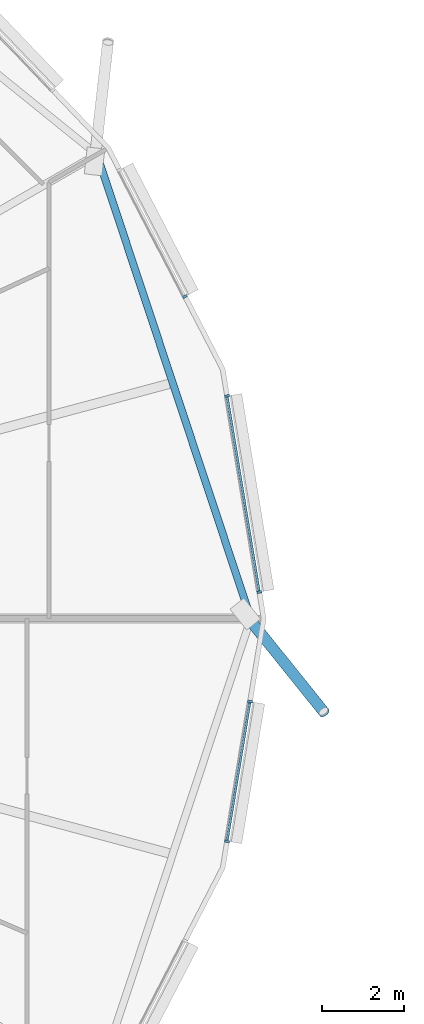
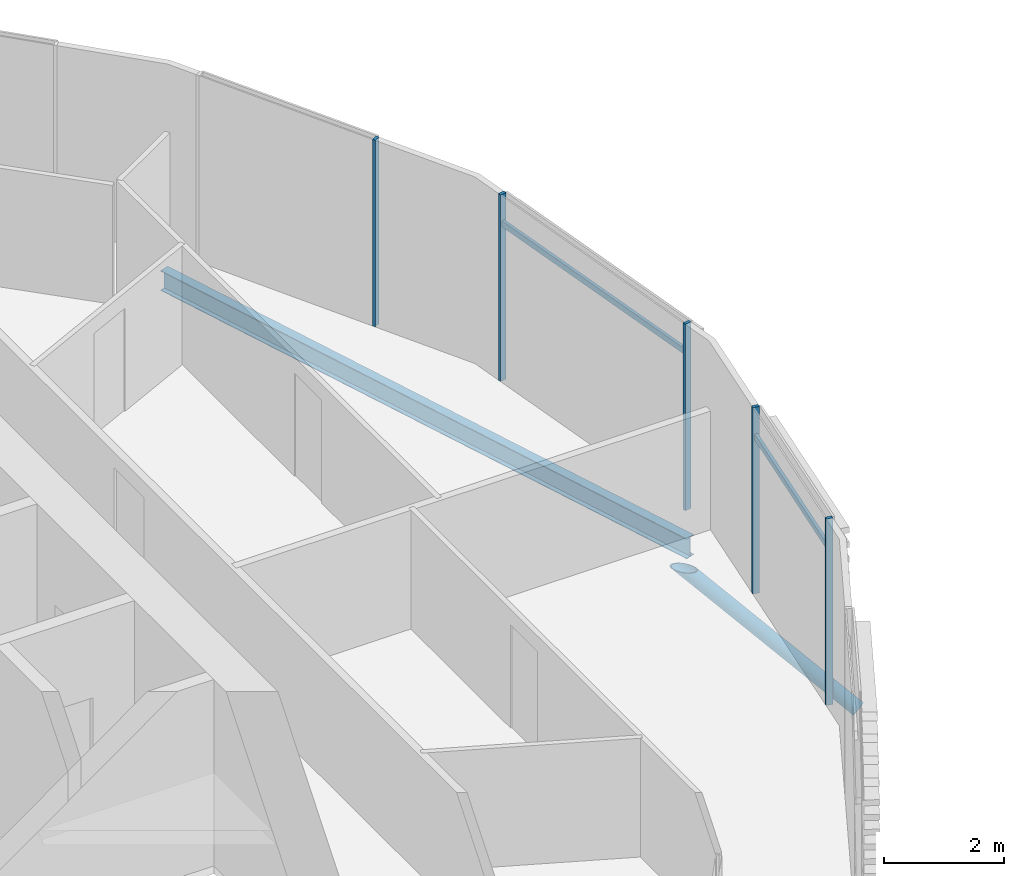
# One storey, part 8 of 42: 8 members, 1 beam, 1 element without a shape of its own.
"""IFC4 building model written with IfcOpenShell, lengths in metres."""

from ifc_helpers import new_model, si_unit, direction, frame, origin, origin_2d, place, context, subcontext, project, spatial, rectangle, hollow_circle, i_section, extrude, clip, halfspace, material, material_profile, profile_set, type_object, element, aggregate, save


model = new_model("IFC4")

# Units and contexts
model_context = context("Model", 3, precision=1e-05, world=origin(), true_north=direction((0.0, 1.0)))
body_context = subcontext(model_context, "Body", "Model", "MODEL_VIEW")
ifc_project = project(units=[si_unit("LENGTHUNIT", "METRE"), si_unit("AREAUNIT", "SQUARE_METRE"), si_unit("VOLUMEUNIT", "CUBIC_METRE"), si_unit("PLANEANGLEUNIT", "RADIAN"), si_unit("MASSUNIT", "GRAM", prefix="KILO")], contexts=[model_context])

# Site, building, storey
site_placement = place(None, origin())
site = spatial("IfcSite", under=ifc_project, at=site_placement, CompositionType="ELEMENT")
building_placement = place(site_placement, origin())
building = spatial("IfcBuilding", under=site, at=building_placement, Name="Rimbun Link Towers", CompositionType="ELEMENT")
storey_placement = place(building_placement, frame((0.0, 0.0, 85.39990234375)))
storey = spatial("IfcBuildingStorey", under=building, at=storey_placement, Name="L20", CompositionType="ELEMENT", Elevation=85.39990234375)

# Curtain wall, members
ifc_material_1 = material(Name="Aluminium 6063-T6 and low-iron glass", Category="aluminium")
curtain_wall_type = type_object("IfcCurtainWallType", Name="CW1-Z2 unitised vision wall (zone 2)", PredefinedType="NOTDEFINED", material=ifc_material_1)
curtain_wall_placement = place(storey_placement, origin())
curtain_wall = element("IfcCurtainWall", 1, at=curtain_wall_placement, inside=storey, type_object=curtain_wall_type, Name="CW1 L20 T1", PredefinedType="NOTDEFINED")
ifc_material_2 = material(Name="Aluminium 6063-T6", Category="aluminium")
ifc_material_profile_1 = material_profile(ifc_material_2, rectangle(XDim=0.1201171875, YDim=0.06005859375, at=origin_2d()), Name="MULLION 60X120")
ifc_profile_set_1 = profile_set([ifc_material_profile_1], Name="Aluminium 6063-T6")
member_type_1 = type_object("IfcMemberType", Name="CW1 mullion 60X120", PredefinedType="MULLION", material=ifc_profile_set_1)
member_1_placement = place(storey_placement, frame((-8.8798828125, 5.4521484375, 0.0), z_axis=(0.0, 0.0, 1.0), x_axis=(0.986748851509, 0.162255058613, 0.0)))
member_1 = element("IfcMember", 2, at=member_1_placement, type_object=member_type_1, Name="CW1 mullion", PredefinedType="MULLION", context=body_context, shape_type="SweptSolid", body=[
    extrude(rectangle(XDim=0.1201171875, YDim=0.06005859375, at=origin_2d()), origin(), (0.0, 0.0, 1.0), 3.800048828125),
])
member_2_placement = place(storey_placement, frame((-8.09033203125, 0.651123046875, 0.0), z_axis=(0.0, 0.0, 1.0), x_axis=(0.986748851509, 0.162255058613, 0.0)))
member_2 = element("IfcMember", 3, at=member_2_placement, type_object=member_type_1, Name="CW1 mullion", PredefinedType="MULLION", context=body_context, shape_type="SweptSolid", body=[
    extrude(rectangle(XDim=0.1201171875, YDim=0.06005859375, at=origin_2d()), origin(), (0.0, 0.0, 1.0), 3.800048828125),
])
member_3_placement = place(storey_placement, frame((-9.910400390625, 7.8876953125, 0.0), z_axis=(0.0, 0.0, 1.0), x_axis=(0.888154791602, 0.459544411514, 0.0)))
member_3 = element("IfcMember", 4, at=member_3_placement, type_object=member_type_1, Name="CW1 mullion", PredefinedType="MULLION", context=body_context, shape_type="SweptSolid", body=[
    extrude(rectangle(XDim=0.1201171875, YDim=0.06005859375, at=origin_2d()), origin(), (0.0, 0.0, 1.0), 3.800048828125),
])
member_4_placement = place(storey_placement, frame((-8.317626953125, -2.032470703125, 0.0), z_axis=(0.0, 0.0, 1.0), x_axis=(0.986748851509, -0.162255058613, 0.0)))
member_4 = element("IfcMember", 5, at=member_4_placement, type_object=member_type_1, Name="CW1 mullion", PredefinedType="MULLION", context=body_context, shape_type="SweptSolid", body=[
    extrude(rectangle(XDim=0.1201171875, YDim=0.06005859375, at=origin_2d()), origin(), (0.0, 0.0, 1.0), 3.800048828125),
])
member_5_placement = place(storey_placement, frame((-8.8798828125, -5.4521484375, 0.0), z_axis=(0.0, 0.0, 1.0), x_axis=(0.986748851509, -0.162255058613, 0.0)))
member_5 = element("IfcMember", 6, at=member_5_placement, type_object=member_type_1, Name="CW1 mullion", PredefinedType="MULLION", context=body_context, shape_type="SweptSolid", body=[
    extrude(rectangle(XDim=0.1201171875, YDim=0.06005859375, at=origin_2d()), origin(), (0.0, 0.0, 1.0), 3.800048828125),
])
ifc_material_3 = material(Name="Aluminium 6063-T6", Category="aluminium")
ifc_material_profile_2 = material_profile(ifc_material_3, rectangle(XDim=0.06005859375, YDim=0.1201171875, at=origin_2d()), Name="TRANSOM 60X120")
ifc_profile_set_2 = profile_set([ifc_material_profile_2], Name="Aluminium 6063-T6")
member_type_2 = type_object("IfcMemberType", Name="CW1 transom 60X120", PredefinedType="USERDEFINED", material=ifc_profile_set_2)
member_6_placement = place(storey_placement, frame((-8.876953125, 5.42236328125, 3.2001953125), z_axis=(0.162264875443, -0.986747237238, 0.0), x_axis=(0.986747237238, 0.162264875443, 0.0)))
member_6 = element("IfcMember", 7, at=member_6_placement, type_object=member_type_2, Name="CW1 transom", ObjectType="TRANSOM", PredefinedType="USERDEFINED", context=body_context, shape_type="SweptSolid", body=[
    extrude(rectangle(XDim=0.06005859375, YDim=0.1201171875, at=origin_2d()), origin(), (0.0, 0.0, 1.0), 4.8056640625),
])
member_7_placement = place(storey_placement, frame((-8.324462890625, -2.061767578125, 3.2001953125), z_axis=(-0.162224767288, -0.986753831955, 0.0), x_axis=(0.986753831955, -0.162224767288, 0.0)))
member_7 = element("IfcMember", 8, at=member_7_placement, type_object=member_type_2, Name="CW1 transom", ObjectType="TRANSOM", PredefinedType="USERDEFINED", context=body_context, shape_type="SweptSolid", body=[
    extrude(rectangle(XDim=0.06005859375, YDim=0.1201171875, at=origin_2d()), origin(), (0.0, 0.0, 1.0), 3.40576171875),
])
aggregate(curtain_wall, [member_1, member_2, member_3, member_4, member_5, member_6, member_7])

# Member
ifc_material_4 = material(Name="Steel S355J2H", Category="steel")
ifc_material_profile_3 = material_profile(ifc_material_4, hollow_circle(Radius=0.136474609375, WallThickness=0.012451171875, at=origin_2d()), Name="CHS 273x12.5")
ifc_profile_set_3 = profile_set([ifc_material_profile_3], Name="Steel S355J2H")
member_type_3 = type_object("IfcMemberType", Name="Floor edge link CHS 273x12.5", PredefinedType="BRACE", material=ifc_profile_set_3)
member_8_placement = place(storey_placement, frame((-8.347412109375, 0.0, -0.876220703125), z_axis=(0.52155599313, -0.649056627527, -0.553809389857), x_axis=(0.779513255667, 0.626385731191, 0.0)))
element("IfcMember", 9, at=member_8_placement, inside=storey, type_object=member_type_3, Name="Floor edge link T1 L20 00", PredefinedType="BRACE", context=body_context, shape_type="Clipping", body=[
    clip(extrude(hollow_circle(Radius=0.136474609375, WallThickness=0.012451171875, at=origin_2d()), frame((0.0, 0.0, -0.428466796875)), (0.0, 0.0, 1.0), 3.978515625), halfspace(frame((0.0, 0.0, -0.20166015625), z_axis=(0.0, 0.832643476949, -0.553809389857)), False)),
])

# Beam
ifc_material_5 = material(Name="Steel S355J2", Category="steel")
ifc_material_profile_4 = material_profile(ifc_material_5, i_section(OverallWidth=0.177978515625, OverallDepth=0.406494140625, WebThickness=0.0078125, FlangeThickness=0.0126953125, at=origin_2d()), Name="UB 406x178x60")
ifc_profile_set_4 = profile_set([ifc_material_profile_4], Name="Steel S355J2")
beam_type = type_object("IfcBeamType", Name="UB 406x178x60", PredefinedType="BEAM", material=ifc_profile_set_4)
beam_placement = place(storey_placement, frame((-8.33544921875, 0.11474609375, -0.363037109375), z_axis=(-0.314775544132, 0.949166137626, 0.0), x_axis=(-0.949166137626, -0.314775544132, 0.0)))
element("IfcBeam", 10, at=beam_placement, inside=storey, type_object=beam_type, Name="Edge beam T1 L20 00-02", PredefinedType="BEAM", context=body_context, shape_type="SweptSolid", body=[
    extrude(i_section(OverallWidth=0.177978515625, OverallDepth=0.406494140625, WebThickness=0.0078125, FlangeThickness=0.0126953125, at=origin_2d()), origin(), (0.0, 0.0, 1.0), 11.754150390625),
])

save(model, "model.ifc")
